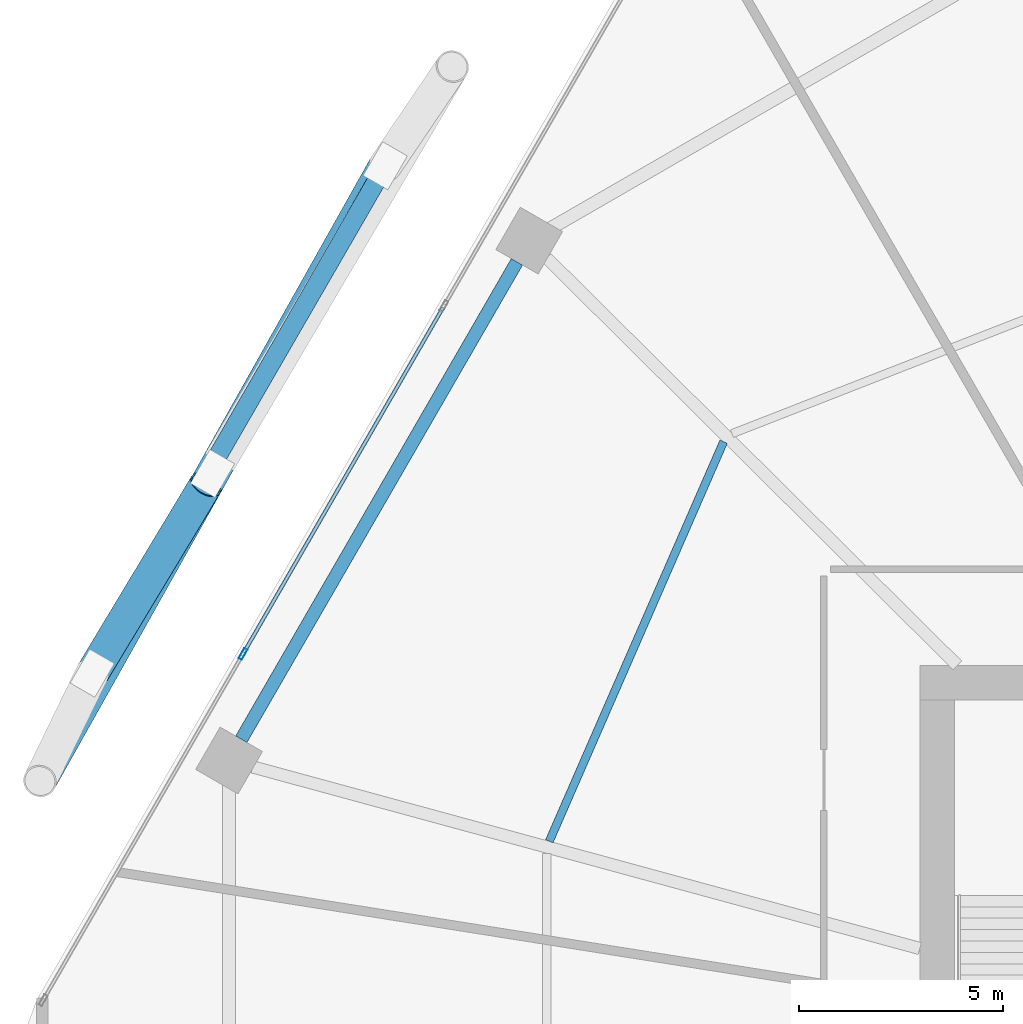
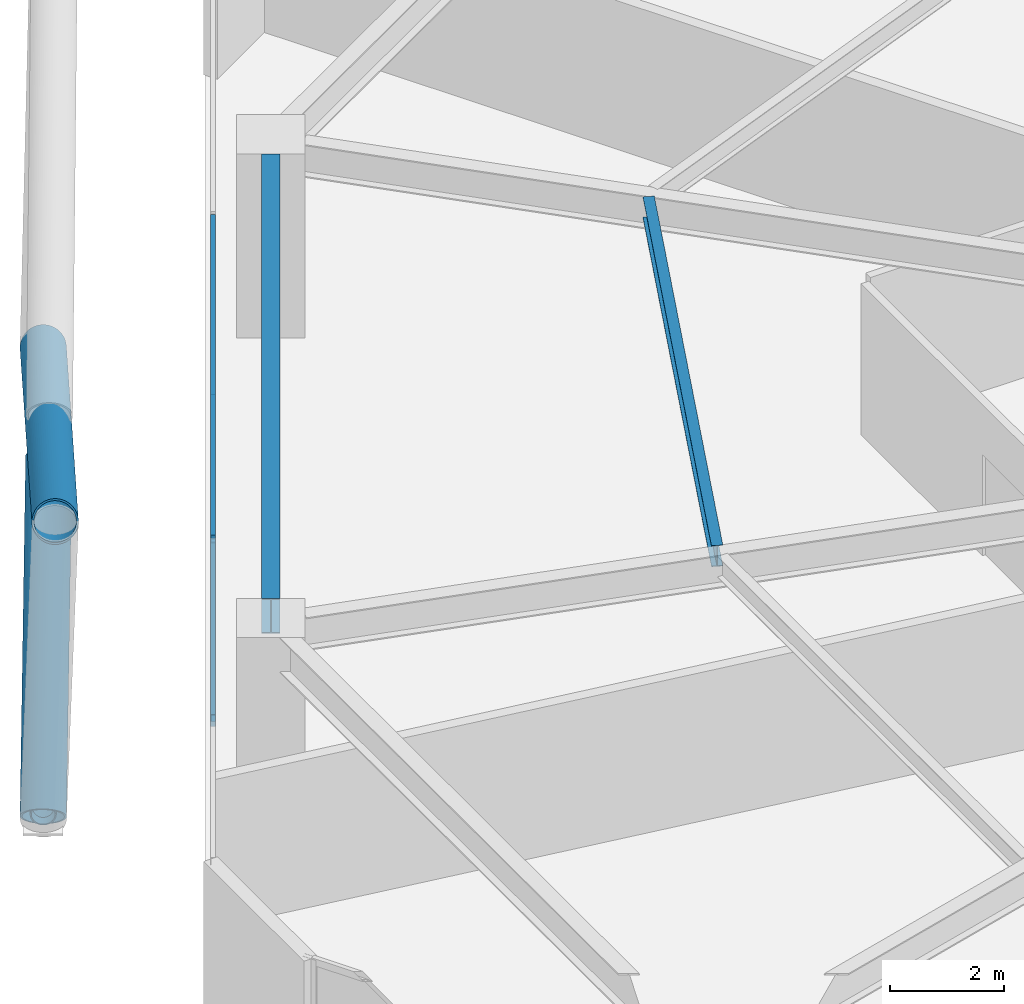
# One storey, part 14 of 28: 6 members, 2 beams, 1 element without a shape of its own.
"""IFC4 building model written with IfcOpenShell, lengths in metres."""

from ifc_helpers import new_model, si_unit, direction, frame, origin, origin_2d, place, context, subcontext, project, spatial, hollow_rectangle, hollow_circle, i_section, extrude, material, material_profile, profile_set, type_object, element, aggregate, save


model = new_model("IFC4")

# Units and contexts
model_context = context("Model", 3, precision=1e-05, world=origin(), true_north=direction((0.0, 1.0)))
body_context = subcontext(model_context, "Body", "Model", "MODEL_VIEW")
ifc_project = project(units=[si_unit("LENGTHUNIT", "METRE"), si_unit("AREAUNIT", "SQUARE_METRE"), si_unit("VOLUMEUNIT", "CUBIC_METRE"), si_unit("PLANEANGLEUNIT", "RADIAN"), si_unit("MASSUNIT", "GRAM", prefix="KILO")], contexts=[model_context])

# Site, building, storey
site_placement = place(None, origin())
site = spatial("IfcSite", under=ifc_project, at=site_placement, CompositionType="ELEMENT")
building_placement = place(site_placement, origin())
building = spatial("IfcBuilding", under=site, at=building_placement, Name="Zuhravey Tower", CompositionType="ELEMENT")
storey_placement = place(building_placement, frame((0.0, 0.0, 66.60009765625)))
storey = spatial("IfcBuildingStorey", under=building, at=storey_placement, Name="L16", CompositionType="ELEMENT", Elevation=66.60009765625)

# Curtain wall, members
ifc_material_1 = material(Name="Thermally broken anodised aluminium", Category="aluminium")
curtain_wall_type = type_object("IfcCurtainWallType", Name="School Low-E Unitised Curtain Wall CW1", PredefinedType="NOTDEFINED", material=ifc_material_1)
curtain_wall_placement = place(storey_placement, origin())
curtain_wall = element("IfcCurtainWall", 1, at=curtain_wall_placement, inside=storey, type_object=curtain_wall_type, Name="L16 CW1 CW-L16-F3-1", PredefinedType="NOTDEFINED")
ifc_material_2 = material(Name="Anodised aluminium", Category="aluminium")
ifc_material_profile_1 = material_profile(ifc_material_2, hollow_rectangle(XDim=0.090087890625, YDim=0.284912109375, WallThickness=0.0048828125, at=origin_2d()), Name="ALU-RHS-90x285x5")
ifc_profile_set_1 = profile_set([ifc_material_profile_1], Name="Anodised aluminium")
member_type_1 = type_object("IfcMemberType", Name="Curtain-Wall Mullion 90x180", PredefinedType="MULLION", material=ifc_profile_set_1)
member_1_placement = place(storey_placement, frame((8.45458984375, 42.20703125, 0.0), z_axis=(0.0, 0.0, 1.0), x_axis=(-0.86602552265, 0.499999794119, 0.0)))
member_1 = element("IfcMember", 2, at=member_1_placement, type_object=member_type_1, Name="CW1 mullion 2", PredefinedType="MULLION", context=body_context, shape_type="SweptSolid", body=[
    extrude(hollow_rectangle(XDim=0.090087890625, YDim=0.284912109375, WallThickness=0.0048828125, at=origin_2d()), origin(), (0.0, 0.0, 1.0), 3.919921875),
])
ifc_material_profile_2 = material_profile(ifc_material_2, hollow_rectangle(XDim=0.090087890625, YDim=0.14990234375, WallThickness=0.0048828125, at=origin_2d()), Name="ALU-RHS-90x150x5")
ifc_profile_set_2 = profile_set([ifc_material_profile_2], Name="Anodised aluminium")
member_type_2 = type_object("IfcMemberType", Name="Curtain-Wall Transom 90x150", PredefinedType="USERDEFINED", material=ifc_profile_set_2)
member_2_placement = place(storey_placement, frame((8.47705078125, 42.245849609375, 0.044921875), z_axis=(0.499990498062, 0.866030889661, 0.0), x_axis=(-0.866030889661, 0.499990498062, 0.0)))
member_2 = element("IfcMember", 3, at=member_2_placement, type_object=member_type_2, Name="CW1 transom 2.1", ObjectType="TRANSOM", PredefinedType="USERDEFINED", context=body_context, shape_type="SweptSolid", body=[
    extrude(hollow_rectangle(XDim=0.090087890625, YDim=0.14990234375, WallThickness=0.0048828125, at=origin_2d()), origin(), (0.0, 0.0, 1.0), 9.776611328125),
])
member_3_placement = place(storey_placement, frame((8.47705078125, 42.245849609375, 3.875), z_axis=(0.499990498062, 0.866030889661, 0.0), x_axis=(-0.866030889661, 0.499990498062, 0.0)))
member_3 = element("IfcMember", 4, at=member_3_placement, type_object=member_type_2, Name="CW1 transom 2.2", ObjectType="TRANSOM", PredefinedType="USERDEFINED", context=body_context, shape_type="SweptSolid", body=[
    extrude(hollow_rectangle(XDim=0.090087890625, YDim=0.14990234375, WallThickness=0.0048828125, at=origin_2d()), origin(), (0.0, 0.0, 1.0), 9.776611328125),
])
aggregate(curtain_wall, [member_1, member_2, member_3])

# Members
ifc_material_3 = material(Name="Steel SM355", Category="steel")
ifc_material_profile_3 = material_profile(ifc_material_3, hollow_circle(Radius=0.228515625, WallThickness=0.02197265625, at=origin_2d()), Name="CHS-457.2x22")
ifc_profile_set_3 = profile_set([ifc_material_profile_3], Name="Steel SM355")
member_type_3 = type_object("IfcMemberType", Name="Exoskeleton Ring Tie CHS457x22", PredefinedType="CHORD", material=ifc_profile_set_3)
member_4_placement = place(storey_placement, frame((11.8759765625, 54.072998046875, -0.494140625), z_axis=(-0.499995593262, -0.866027948001, 0.0), x_axis=(0.866027948001, -0.499995593262, 0.0)))
element("IfcMember", 5, at=member_4_placement, inside=storey, type_object=member_type_3, Name="L16 Exoskeleton Face 3 Tie EXR1", PredefinedType="CHORD", context=body_context, shape_type="SweptSolid", body=[
    extrude(hollow_circle(Radius=0.228515625, WallThickness=0.02197265625, at=origin_2d()), origin(), (0.0, 0.0, 1.0), 14.107666015625),
])
ifc_material_4 = material(Name="Steel SM460", Category="steel")
ifc_material_profile_4 = material_profile(ifc_material_4, hollow_circle(Radius=0.406494140625, WallThickness=0.035888671875, at=origin_2d()), Name="CHS-812.8x36")
ifc_profile_set_4 = profile_set([ifc_material_profile_4], Name="Steel SM460")
member_type_4 = type_object("IfcMemberType", Name="Exoskeleton Zone 1 Diagrid CHS813x36", PredefinedType="BRACE", material=ifc_profile_set_4)
member_5_placement = place(storey_placement, frame((11.923828125, 54.15478515625, -0.47216796875), z_axis=(-0.44046274301, -0.784718412314, 0.436130239029), x_axis=(0.87202217105, -0.489466375962, 0.0)))
element("IfcMember", 6, at=member_5_placement, inside=storey, type_object=member_type_4, Name="L16 Face 3 Diagrid Brace 2", PredefinedType="BRACE", context=body_context, shape_type="SweptSolid", body=[
    extrude(hollow_circle(Radius=0.406494140625, WallThickness=0.035888671875, at=origin_2d()), origin(), (0.0, 0.0, 1.0), 19.159423828125),
])
member_6_placement = place(storey_placement, frame((4.773193359375, 41.76904296875, -0.46435546875), z_axis=(0.41582243285, 0.690676289832, 0.591656967341), x_axis=(-0.856716704815, 0.515787250415, 0.0)))
element("IfcMember", 7, at=member_6_placement, inside=storey, type_object=member_type_4, Name="L16 Face 3 Split Diagrid Brace 3A", PredefinedType="BRACE", context=body_context, shape_type="SweptSolid", body=[
    extrude(hollow_circle(Radius=0.406494140625, WallThickness=0.035888671875, at=origin_2d()), origin(), (0.0, 0.0, 1.0), 6.652099609375),
])

# Beams
ifc_material_profile_5 = material_profile(ifc_material_3, i_section(OverallWidth=0.320068359375, OverallDepth=0.75, WebThickness=0.013916015625, FlangeThickness=0.02490234375, at=origin_2d()), Name="H-750x320x14x25")
ifc_profile_set_5 = profile_set([ifc_material_profile_5], Name="Steel SM355")
beam_type_1 = type_object("IfcBeamType", Name="Perimeter Ring Beam H750x320", PredefinedType="BEAM", material=ifc_profile_set_5)
beam_1_placement = place(storey_placement, frame((15.179443359375, 51.834716796875, 3.544921875), z_axis=(-0.499999877243, -0.866025474658, 0.0), x_axis=(0.866025474658, -0.499999877243, 0.0)))
element("IfcBeam", 8, at=beam_1_placement, inside=storey, type_object=beam_type_1, Name="L16 PB1 BM-L16-PB-05", PredefinedType="BEAM", context=body_context, shape_type="SweptSolid", body=[
    extrude(i_section(OverallWidth=0.320068359375, OverallDepth=0.75, WebThickness=0.013916015625, FlangeThickness=0.02490234375, at=origin_2d()), origin(), (0.0, 0.0, 1.0), 13.5341796875),
])
ifc_material_profile_6 = material_profile(ifc_material_3, i_section(OverallWidth=0.199951171875, OverallDepth=0.449951171875, WebThickness=0.009033203125, FlangeThickness=0.013916015625, at=origin_2d()), Name="H-450x200x9x14")
ifc_profile_set_6 = profile_set([ifc_material_profile_6], Name="Steel SM355")
beam_type_2 = type_object("IfcBeamType", Name="Secondary Floor Joist H450x200", PredefinedType="JOIST", material=ifc_profile_set_6)
beam_2_placement = place(storey_placement, frame((20.2548828125, 47.41845703125, 3.69482421875), z_axis=(-0.399923551578, -0.916548500022, 0.0), x_axis=(0.916548500022, -0.399923551578, 0.0)))
element("IfcBeam", 9, at=beam_2_placement, inside=storey, type_object=beam_type_2, Name="L16 SJ1 BM-L16-SJ-05-1", PredefinedType="JOIST", context=body_context, shape_type="SweptSolid", body=[
    extrude(i_section(OverallWidth=0.199951171875, OverallDepth=0.449951171875, WebThickness=0.009033203125, FlangeThickness=0.013916015625, at=origin_2d()), origin(), (0.0, 0.0, 1.0), 10.70263671875),
])

save(model, "model.ifc")
